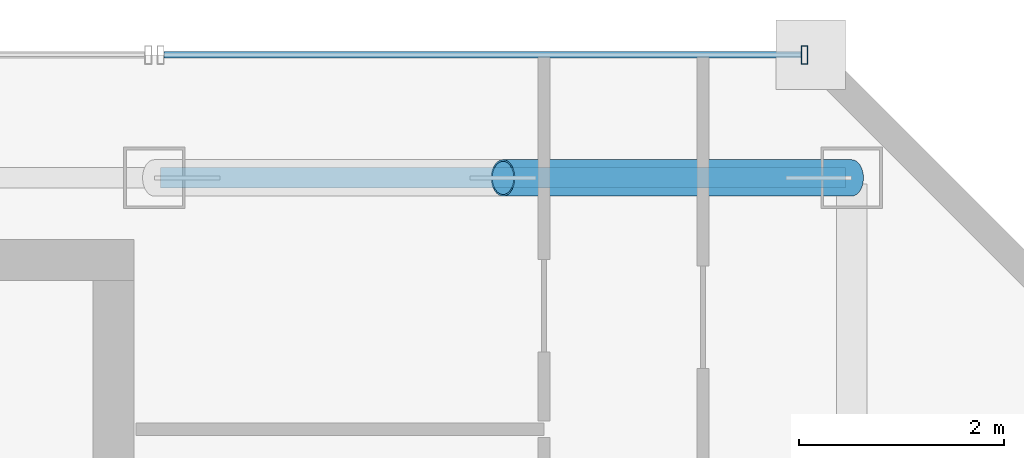
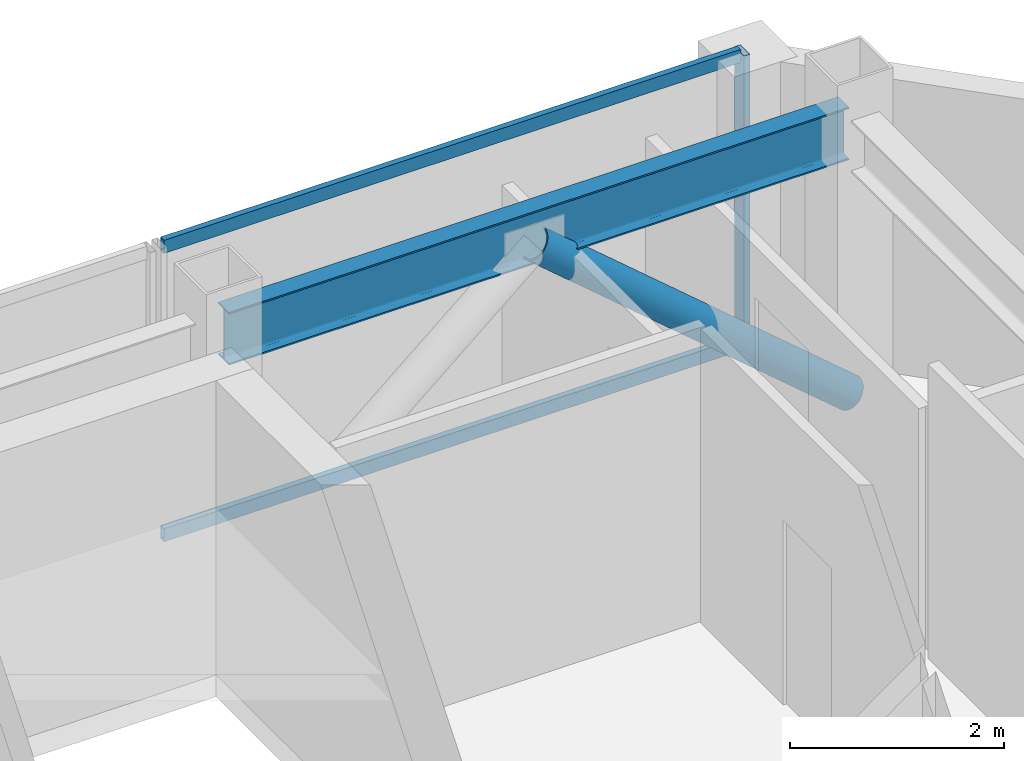
# One storey, part 22 of 30: 4 members, 1 beam, 1 element without a shape of its own.
"""IFC4 building model written with IfcOpenShell, lengths in metres."""

import ifcopenshell
import ifcopenshell.guid

model = None  # the IFC model being written
_history = None  # IfcOwnerHistory: only IFC2X3 demands one
_inside = {}  # id of a spatial element -> (the spatial element, [elements in it])
_under = {}  # id of a project, library or spatial element -> (it, [spatial elements below it])
_declared = {}  # id of a project -> (the project, [libraries it declares])
_typed = {}  # id of a type object -> (the type object, [elements of that type])
_made_of = {}  # id of a material, layer set ... -> (it, [elements and type objects made of it])


def new_model(schema):
    """Start an empty IFC model of exactly this schema.

    Asked for "IFC4X3", IfcOpenShell would pick the latest addendum, in which some entities
    have other attributes; the version numbers below select the first issue.
    IFC2X3 requires an IfcOwnerHistory on every rooted entity: one is made here for all.
    """
    global model, _history
    if schema == "IFC4X3":
        model = ifcopenshell.file(schema_version=(4, 3, 0, 0))
    else:
        model = ifcopenshell.file(schema=schema)
    _inside.clear()
    _under.clear()
    _declared.clear()
    _typed.clear()
    _made_of.clear()
    _history = None
    if model.schema == "IFC2X3":
        org = make("IfcOrganization", Name="unknown")
        user = make(
            "IfcPersonAndOrganization",
            ThePerson=make("IfcPerson", FamilyName="unknown"),
            TheOrganization=org,
        )
        app = make(
            "IfcApplication",
            ApplicationDeveloper=org,
            Version="unknown",
            ApplicationFullName="unknown",
            ApplicationIdentifier="unknown",
        )
        _history = make(
            "IfcOwnerHistory",
            OwningUser=user,
            OwningApplication=app,
            ChangeAction="ADDED",
            CreationDate=0,
        )
    return model


def make(cls, **values):
    """One entity of the class cls with the attributes given. An attribute that is None is left unset."""
    return model.create_entity(
        cls, **{name: value for name, value in values.items() if value is not None}
    )


def rooted(cls, **values):
    """An entity with a GlobalId (a new one), such as an element, a storey or a relation."""
    return make(cls, GlobalId=ifcopenshell.guid.new(), OwnerHistory=_history, **values)


def si_unit(unit_type, name, prefix=None):
    """IfcSIUnit, for example si_unit("LENGTHUNIT", "METRE", prefix="MILLI")."""
    return make("IfcSIUnit", UnitType=unit_type, Prefix=prefix, Name=name)


def assignment(units):
    """IfcUnitAssignment: the units of a project."""
    return None if units is None else make("IfcUnitAssignment", Units=units)


def point(xyz):
    """IfcCartesianPoint."""
    return None if xyz is None else make("IfcCartesianPoint", Coordinates=xyz)


def direction(xyz):
    """IfcDirection."""
    return None if xyz is None else make("IfcDirection", DirectionRatios=xyz)


def frame(location, z_axis=None, x_axis=None):
    """IfcAxis2Placement3D, a coordinate frame: its origin and axes. An axis left out is left unset."""
    return make(
        "IfcAxis2Placement3D",
        Location=point(location),
        Axis=direction(z_axis),
        RefDirection=direction(x_axis),
    )


def frame_2d(location, x_axis=None):
    """IfcAxis2Placement2D, a coordinate frame in the plane: its origin and x axis."""
    return make(
        "IfcAxis2Placement2D", Location=point(location), RefDirection=direction(x_axis)
    )


def origin():
    """The frame at (0, 0, 0) with its axes left unset."""
    return frame((0.0, 0.0, 0.0))


def origin_2d():
    """The frame at (0, 0) in the plane with its x axis left unset."""
    return frame_2d((0.0, 0.0))


def place(relative_to, where):
    """IfcLocalPlacement: puts the frame where relative to a parent placement (None: the world)."""
    return make(
        "IfcLocalPlacement", PlacementRelTo=relative_to, RelativePlacement=where
    )


def context(
    kind, dimensions, precision=None, world=None, true_north=None, identifier=None
):
    """IfcGeometricRepresentationContext, for example the 3D "Model" context."""
    return make(
        "IfcGeometricRepresentationContext",
        ContextIdentifier=identifier,
        ContextType=kind,
        CoordinateSpaceDimension=dimensions,
        Precision=precision,
        WorldCoordinateSystem=world,
        TrueNorth=true_north,
    )


def subcontext(parent, identifier, kind, view, scale=None):
    """IfcGeometricRepresentationSubContext, for example "Body" below "Model"."""
    return make(
        "IfcGeometricRepresentationSubContext",
        ContextIdentifier=identifier,
        ContextType=kind,
        ParentContext=parent,
        TargetScale=scale,
        TargetView=view,
    )


def project(units=None, contexts=None):
    """IfcProject with its units and contexts."""
    return rooted(
        "IfcProject",
        Name="project",
        RepresentationContexts=contexts,
        UnitsInContext=assignment(units),
    )


def spatial(cls, under=None, at=None, **own):
    """A site, building, storey or space (cls), placed at a placement, below another one or the project."""
    s = rooted(cls, ObjectPlacement=at, **own)
    if under is not None:
        _under.setdefault(under.id(), (under, []))[1].append(s)
    return s


def profile(cls, at=None, kind="AREA", **sizes):
    """A parametric profile (cls). Its sizes go by their IFC names, for example OverallWidth=200.0."""
    return make(cls, ProfileType=kind, Position=at, **sizes)


def hollow_rectangle(**sizes):
    """IfcRectangleHollowProfileDef."""
    return profile("IfcRectangleHollowProfileDef", **sizes)


def hollow_circle(**sizes):
    """IfcCircleHollowProfileDef."""
    return profile("IfcCircleHollowProfileDef", **sizes)


def i_section(**sizes):
    """IfcIShapeProfileDef."""
    return profile("IfcIShapeProfileDef", **sizes)


def extrude(swept, where, along, depth):
    """IfcExtrudedAreaSolid: the profile swept, set in the frame where, extruded along a direction by depth."""
    return make(
        "IfcExtrudedAreaSolid",
        SweptArea=swept,
        Position=where,
        ExtrudedDirection=direction(along),
        Depth=depth,
    )


def shape(context_of_items, identifier, shape_type, items):
    """IfcShapeRepresentation: the items that make up one representation, for example the "Body"."""
    return make(
        "IfcShapeRepresentation",
        ContextOfItems=context_of_items,
        RepresentationIdentifier=identifier,
        RepresentationType=shape_type,
        Items=items,
    )


def material(Name=None, Category=None):
    """IfcMaterial."""
    return make("IfcMaterial", Name=Name, Category=Category)


def material_profile(
    of_material, cross_section, Name=None, Category=None, Priority=None
):
    """IfcMaterialProfile: a cross section and its material."""
    return make(
        "IfcMaterialProfile",
        Name=Name,
        Material=of_material,
        Profile=cross_section,
        Priority=Priority,
        Category=Category,
    )


def profile_set(profiles, Name=None, composite=None):
    """IfcMaterialProfileSet."""
    return make(
        "IfcMaterialProfileSet",
        Name=Name,
        MaterialProfiles=profiles,
        CompositeProfile=composite,
    )


def made_of(thing, what):
    """Note that an element or type object is made of a material, layer set ...; save() writes the relation."""
    if what is not None:
        _made_of.setdefault(what.id(), (what, []))[1].append(thing)
    return thing


def type_object(cls, material=None, **own):
    """A type object (cls), such as IfcWallType, which elements share."""
    return made_of(rooted(cls, **own), material)


def element(
    cls,
    number,
    at=None,
    inside=None,
    cuts=None,
    type_object=None,
    material=None,
    context=None,
    identifier="Body",
    shape_type=None,
    held_by="IfcProductDefinitionShape",
    body=None,
    shapes=None,
    **own,
):
    """One element of the class cls, such as IfcWall. Its Tag is "e" and its number.

    at: its placement. inside: the storey or other place that contains it. cuts: it is an
    opening in that element (IfcRelVoidsElement). A single representation is given by context,
    identifier, shape_type and body (its items); several are given by shapes. held_by: the class
    of the entity that holds the representations. save() writes the other relations.
    """
    e = rooted(cls, Tag="e%d" % number, ObjectPlacement=at, **own)
    if body is not None:
        shapes = [shape(context, identifier, shape_type, body)]
    if shapes is not None:
        e.Representation = make(held_by, Representations=shapes)
    if inside is not None:
        _inside.setdefault(inside.id(), (inside, []))[1].append(e)
    if cuts is not None:
        rooted(
            "IfcRelVoidsElement", RelatingBuildingElement=cuts, RelatedOpeningElement=e
        )
    if type_object is not None:
        _typed.setdefault(type_object.id(), (type_object, []))[1].append(e)
    return made_of(e, material)


def aggregate(whole, parts):
    """IfcRelAggregates: a whole, such as a stair, and the parts it consists of."""
    return rooted("IfcRelAggregates", RelatingObject=whole, RelatedObjects=parts)


def save(model, path):
    """Write the relations noted so far, then the file.

    IfcRelAggregates (storeys below a building ...), IfcRelContainedInSpatialStructure (elements
    in a storey), IfcRelDefinesByType, IfcRelAssociatesMaterial and IfcRelDeclares: one each for
    every whole, place, type object, material and project.
    """
    for whole, parts in _under.values():
        aggregate(whole, parts)
    for where, things in _inside.values():
        rooted(
            "IfcRelContainedInSpatialStructure",
            RelatedElements=things,
            RelatingStructure=where,
        )
    for kind, things in _typed.values():
        rooted("IfcRelDefinesByType", RelatedObjects=things, RelatingType=kind)
    for what, things in _made_of.values():
        rooted("IfcRelAssociatesMaterial", RelatedObjects=things, RelatingMaterial=what)
    for by, libraries in _declared.values():
        rooted("IfcRelDeclares", RelatingContext=by, RelatedDefinitions=libraries)
    model.write(path)


model = new_model("IFC4")

# Units and contexts
model_context = context("Model", 3, precision=1e-05, world=origin(), true_north=direction((0.0, 1.0)))
body_context = subcontext(model_context, "Body", "Model", "MODEL_VIEW")
ifc_project = project(units=[si_unit("LENGTHUNIT", "METRE"), si_unit("AREAUNIT", "SQUARE_METRE"), si_unit("VOLUMEUNIT", "CUBIC_METRE"), si_unit("PLANEANGLEUNIT", "RADIAN"), si_unit("MASSUNIT", "GRAM", prefix="KILO")], contexts=[model_context])

# Site, building, storey
site_placement = place(None, origin())
site = spatial("IfcSite", under=ifc_project, at=site_placement, CompositionType="ELEMENT")
building_placement = place(site_placement, origin())
building = spatial("IfcBuilding", under=site, at=building_placement, Name="Saevonmaru Cultural Tower", CompositionType="ELEMENT")
storey_placement = place(building_placement, frame((0.0, 0.0, 272.39990234375)))
storey = spatial("IfcBuildingStorey", under=building, at=storey_placement, Name="L64", CompositionType="ELEMENT", Elevation=272.39990234375)

# Beam
ifc_material_1 = material(Name="Steel SM355", Category="steel")
ifc_material_profile_1 = material_profile(ifc_material_1, i_section(OverallWidth=0.199951171875, OverallDepth=0.60009765625, WebThickness=0.010986328125, FlangeThickness=0.01708984375, FilletRadius=0.02197265625, at=origin_2d()), Name="H-600x200x11x17")
ifc_profile_set_1 = profile_set([ifc_material_profile_1], Name="Steel SM355")
beam_type = type_object("IfcBeamType", Name="BM-SP-H600", PredefinedType="SPANDREL", material=ifc_profile_set_1)
beam_placement = place(storey_placement, frame((46.4599609375, 54.800048828125, 3.050048828125), z_axis=(1.0, 0.0, 0.0), x_axis=(0.0, 1.0, 0.0)))
element("IfcBeam", 1, at=beam_placement, inside=storey, type_object=beam_type, Name="L64 North Spine Girder 5", PredefinedType="SPANDREL", context=body_context, shape_type="SweptSolid", body=[
    extrude(i_section(OverallWidth=0.199951171875, OverallDepth=0.60009765625, WebThickness=0.010986328125, FlangeThickness=0.01708984375, FilletRadius=0.02197265625, at=origin_2d()), origin(), (0.0, 0.0, 1.0), 6.679931640625),
])

# Member
ifc_material_profile_2 = material_profile(ifc_material_1, hollow_circle(Radius=0.177734375, WallThickness=0.01611328125, at=origin_2d()), Name="CHS-355.6x16")
ifc_profile_set_2 = profile_set([ifc_material_profile_2], Name="Steel SM355")
member_type_1 = type_object("IfcMemberType", Name="MB-PBR-CHS356", PredefinedType="BRACE", material=ifc_profile_set_2)
member_1_placement = place(storey_placement, frame((53.199951171875, 54.800048828125, 0.02001953125), z_axis=(-0.760808563937, 0.0, 0.648976370171), x_axis=(0.0, -1.0, 0.0)))
element("IfcMember", 2, at=member_1_placement, inside=storey, type_object=member_type_1, Name="L64 Perimeter Braced-Tube Diagonal EN2", PredefinedType="BRACE", context=body_context, shape_type="SweptSolid", body=[
    extrude(hollow_circle(Radius=0.177734375, WallThickness=0.01611328125, at=origin_2d()), origin(), (0.0, 0.0, 1.0), 4.46875),
])

# Curtain wall, members
ifc_material_2 = material(Name="Satin Bronze Anodised Aluminium", Category="aluminium")
curtain_wall_type = type_object("IfcCurtainWallType", Name="CW-TYP-B", PredefinedType="NOTDEFINED", material=ifc_material_2)
curtain_wall_placement = place(storey_placement, origin())
curtain_wall = element("IfcCurtainWall", 3, at=curtain_wall_placement, inside=storey, type_object=curtain_wall_type, Name="L64 East Braced Bay Spandrel Curtain Wall E10A", PredefinedType="NOTDEFINED")
ifc_material_profile_3 = material_profile(ifc_material_2, hollow_rectangle(XDim=0.06494140625, YDim=0.179931640625, WallThickness=0.00390625, at=origin_2d()), Name="ALU-MULL-180x65x4")
ifc_profile_set_3 = profile_set([ifc_material_profile_3], Name="Satin Bronze Anodised Aluminium")
member_type_2 = type_object("IfcMemberType", Name="ML-CW-180x65", PredefinedType="MULLION", material=ifc_profile_set_3)
member_2_placement = place(storey_placement, frame((52.739990234375, 56.0, 0.0), z_axis=(0.0, 0.0, 1.0), x_axis=(-1.0, 0.0, 0.0)))
member_2 = element("IfcMember", 4, at=member_2_placement, type_object=member_type_2, Name="CW-TW-L64-E10A mullion 1", PredefinedType="MULLION", context=body_context, shape_type="SweptSolid", body=[
    extrude(hollow_rectangle(XDim=0.06494140625, YDim=0.179931640625, WallThickness=0.00390625, at=origin_2d()), origin(), (0.0, 0.0, 1.0), 3.35009765625),
])
ifc_material_profile_4 = material_profile(ifc_material_2, hollow_rectangle(XDim=0.06494140625, YDim=0.14990234375, WallThickness=0.00390625, at=origin_2d()), Name="ALU-TRAN-150x65x4")
ifc_profile_set_4 = profile_set([ifc_material_profile_4], Name="Satin Bronze Anodised Aluminium")
member_type_3 = type_object("IfcMemberType", Name="TR-CW-150x65", PredefinedType="USERDEFINED", material=ifc_profile_set_4)
member_3_placement = place(storey_placement, frame((52.70751953125, 56.0, 0.03271484375), z_axis=(-1.0, 0.0, 0.0), x_axis=(0.0, -1.0, 0.0)))
member_3 = element("IfcMember", 5, at=member_3_placement, type_object=member_type_3, Name="CW-TW-L64-E10A transom 1.1", ObjectType="TRANSOM", PredefinedType="USERDEFINED", context=body_context, shape_type="SweptSolid", body=[
    extrude(hollow_rectangle(XDim=0.06494140625, YDim=0.14990234375, WallThickness=0.00390625, at=origin_2d()), origin(), (0.0, 0.0, 1.0), 6.215087890625),
])
member_4_placement = place(storey_placement, frame((52.70751953125, 56.0, 3.317626953125), z_axis=(-1.0, 0.0, 0.0), x_axis=(0.0, -1.0, 0.0)))
member_4 = element("IfcMember", 6, at=member_4_placement, type_object=member_type_3, Name="CW-TW-L64-E10A transom 1.2", ObjectType="TRANSOM", PredefinedType="USERDEFINED", context=body_context, shape_type="SweptSolid", body=[
    extrude(hollow_rectangle(XDim=0.06494140625, YDim=0.14990234375, WallThickness=0.00390625, at=origin_2d()), origin(), (0.0, 0.0, 1.0), 6.215087890625),
])
aggregate(curtain_wall, [member_2, member_3, member_4])

save(model, "model.ifc")
